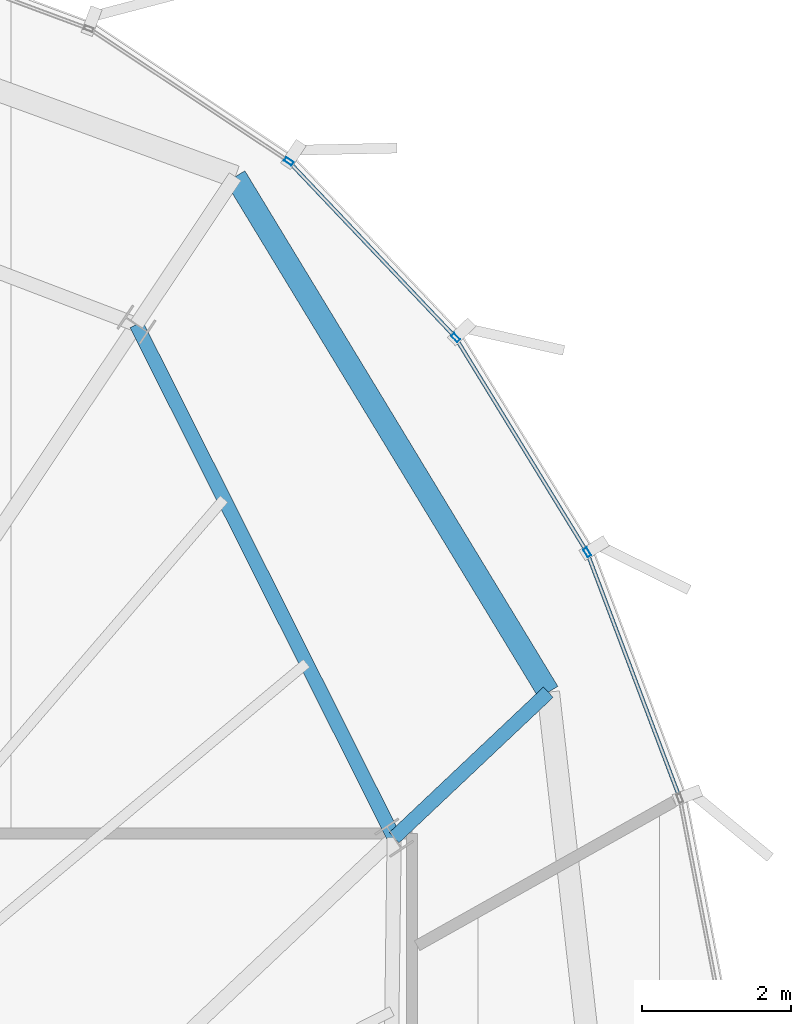
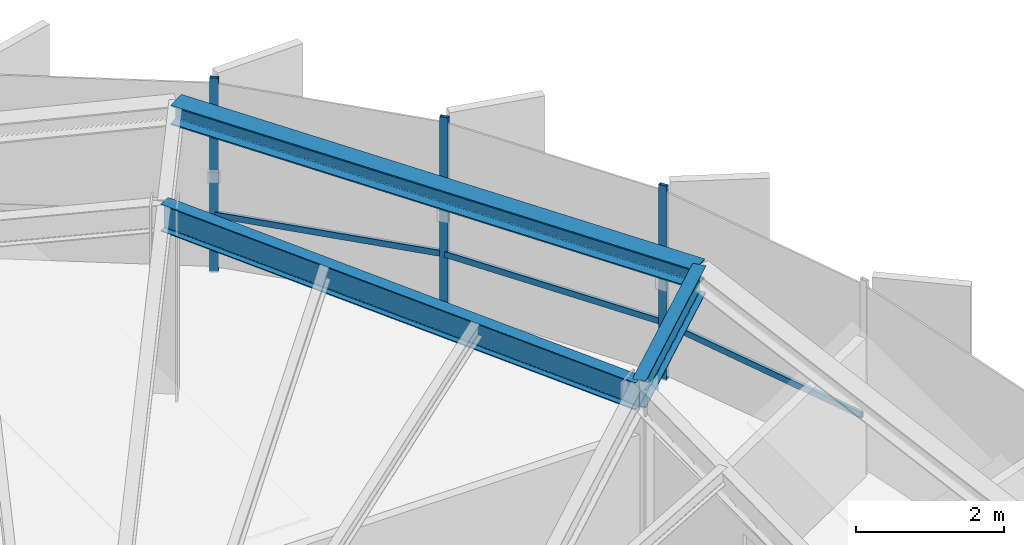
# One storey, part 23 of 31: 6 members, 3 beams, 1 element without a shape of its own.
"""IFC4 building model written with IfcOpenShell, lengths in metres."""

from ifc_helpers import new_model, si_unit, direction, frame, origin, origin_2d, place, context, subcontext, project, spatial, hollow_rectangle, i_section, extrude, source, transform, mapped, material, layer, layer_set, material_profile, profile_set, type_object, element, aggregate, save


model = new_model("IFC4")

# Units and contexts
model_context = context("Model", 3, precision=1e-05, world=origin(), true_north=direction((0.0, 1.0)))
body_context = subcontext(model_context, "Body", "Model", "MODEL_VIEW")
ifc_project = project(units=[si_unit("LENGTHUNIT", "METRE"), si_unit("AREAUNIT", "SQUARE_METRE"), si_unit("VOLUMEUNIT", "CUBIC_METRE"), si_unit("PLANEANGLEUNIT", "RADIAN"), si_unit("MASSUNIT", "GRAM", prefix="KILO"), si_unit("THERMODYNAMICTEMPERATUREUNIT", "KELVIN")], contexts=[model_context])

# Site, building, storey
site_placement = place(None, origin())
site = spatial("IfcSite", under=ifc_project, at=site_placement, CompositionType="ELEMENT")
building_placement = place(site_placement, origin())
building = spatial("IfcBuilding", under=site, at=building_placement, Name="Kethvar Cultural Tower", CompositionType="ELEMENT")
storey_placement = place(building_placement, frame((0.0, 0.0, 287.050048828125)))
storey = spatial("IfcBuildingStorey", under=building, at=storey_placement, Name="L76", CompositionType="ELEMENT", Elevation=287.050048828125)

# Beams
ifc_material_1 = material(Name="Steel S355J2", Category="steel")
ifc_material_profile_1 = material_profile(ifc_material_1, i_section(OverallWidth=0.18994140625, OverallDepth=0.449951171875, WebThickness=0.009521484375, FlangeThickness=0.0146484375, FilletRadius=0.02099609375, at=origin_2d()), Name="Steel S355J2 — IPE450")
ifc_profile_set_1 = profile_set([ifc_material_profile_1], Name="Steel S355J2 — IPE450")
beam_type_1 = type_object("IfcBeamType", Name="BM-IPE450", PredefinedType="BEAM", material=ifc_profile_set_1)
shared_shape_1 = source(origin(), body_context, "Body", "SweptSolid", [
    extrude(i_section(OverallWidth=0.18994140625, OverallDepth=0.449951171875, WebThickness=0.009521484375, FlangeThickness=0.0146484375, FilletRadius=0.02099609375, at=origin_2d()), origin(), (0.0, 0.0, 1.0), 7.68701171875),
])
beam_1_placement = place(storey_placement, frame((61.32568359375, 37.505859375, 2.98291015625), z_axis=(-0.448864354142, 0.893599905763, 0.0), x_axis=(-0.893599905763, -0.448864354142, 0.0)))
element("IfcBeam", 1, at=beam_1_placement, inside=storey, type_object=beam_type_1, Name="L76 Column Ring Tie Beam CR-02", PredefinedType="BEAM", context=body_context, shape_type="MappedRepresentation", body=[
    mapped(shared_shape_1, transform((0.0, 0.0, 0.0), scale=1.0)),
])
shared_shape_2 = source(origin(), body_context, "Body", "SweptSolid", [
    extrude(i_section(OverallWidth=0.18994140625, OverallDepth=0.449951171875, WebThickness=0.009521484375, FlangeThickness=0.0146484375, FilletRadius=0.02099609375, at=origin_2d()), origin(), (0.0, 0.0, 1.0), 2.838134765625),
])
beam_2_placement = place(storey_placement, frame((61.32568359375, 37.505859375, 2.98291015625), z_axis=(0.727158660882, 0.686469432608, 0.0), x_axis=(-0.686469432608, 0.727158660882, 0.0)))
element("IfcBeam", 2, at=beam_2_placement, inside=storey, type_object=beam_type_1, Name="L76 Perimeter Cantilever Beam RC-02", PredefinedType="BEAM", context=body_context, shape_type="MappedRepresentation", body=[
    mapped(shared_shape_2, transform((0.0, 0.0, 0.0), scale=1.0)),
])
ifc_material_profile_2 = material_profile(ifc_material_1, i_section(OverallWidth=0.300048828125, OverallDepth=0.320068359375, WebThickness=0.011474609375, FlangeThickness=0.0205078125, FilletRadius=0.027099609375, at=origin_2d()), Name="Steel S355J2 — HEB320")
ifc_profile_set_2 = profile_set([ifc_material_profile_2], Name="Steel S355J2 — HEB320")
beam_type_2 = type_object("IfcBeamType", Name="BM-SP320", PredefinedType="SPANDREL", material=ifc_profile_set_2)
shared_shape_3 = source(origin(), body_context, "Body", "SweptSolid", [
    extrude(i_section(OverallWidth=0.300048828125, OverallDepth=0.320068359375, WebThickness=0.011474609375, FlangeThickness=0.0205078125, FilletRadius=0.027099609375, at=origin_2d()), origin(), (0.0, 0.0, 1.0), 8.074462890625),
])
beam_3_placement = place(storey_placement, frame((63.389404296875, 39.4541015625, 3.0478515625), z_axis=(-0.518966299139, 0.854794700708, 0.0), x_axis=(-0.854794700708, -0.518966299139, 0.0)))
element("IfcBeam", 3, at=beam_3_placement, inside=storey, type_object=beam_type_2, Name="L76 Perimeter Spandrel Beam SP-02", PredefinedType="SPANDREL", context=body_context, shape_type="MappedRepresentation", body=[
    mapped(shared_shape_3, transform((0.0, 0.0, 0.0), scale=1.0)),
])

# Curtain wall, members
ifc_material_2 = material(Name="Aluminium 6063-T6", Category="aluminium")
ifc_layer = layer(ifc_material_2, 0.179931640625, Name="Aluminium 6063-T6", Category="aluminium")
ifc_layer_set = layer_set([ifc_layer], Name="Aluminium 6063-T6 (180 mm)")
curtain_wall_type = type_object("IfcCurtainWallType", Name="CW-SYS-05-Z56", PredefinedType="NOTDEFINED", material=ifc_layer_set)
curtain_wall_placement = place(storey_placement, origin())
curtain_wall = element("IfcCurtainWall", 4, at=curtain_wall_placement, inside=storey, type_object=curtain_wall_type, Name="L76 Curtain Wall Run 06", PredefinedType="NOTDEFINED")
ifc_material_profile_3 = material_profile(ifc_material_2, hollow_rectangle(XDim=0.054931640625, YDim=0.1201171875, WallThickness=0.00390625, at=origin_2d()), Name="Aluminium 6063-T6 — RHS120x55x4")
ifc_profile_set_3 = profile_set([ifc_material_profile_3], Name="Aluminium 6063-T6 — RHS120x55x4")
member_type_1 = type_object("IfcMemberType", Name="CW-SYS-05-Z56-MUL", PredefinedType="MULLION", material=ifc_profile_set_3)
shared_shape_4 = source(origin(), body_context, "Body", "SweptSolid", [
    extrude(hollow_rectangle(XDim=0.054931640625, YDim=0.1201171875, WallThickness=0.00390625, at=origin_2d()), origin(), (0.0, 0.0, 1.0), 3.2099609375),
])
member_1_placement = place(storey_placement, frame((63.909912109375, 41.325927734375, 0.0), z_axis=(0.0, 0.0, 1.0), x_axis=(-0.852530713811, -0.522677129793, 0.0)))
member_1 = element("IfcMember", 5, at=member_1_placement, type_object=member_type_1, Name="CW-L76-R06 Mullion 4", PredefinedType="MULLION", context=body_context, shape_type="MappedRepresentation", body=[
    mapped(shared_shape_4, transform((0.0, 0.0, 0.0), scale=1.0)),
])
member_2_placement = place(storey_placement, frame((62.149169921875, 44.201904296875, 0.0), z_axis=(0.0, 0.0, 1.0), x_axis=(-0.725602598146, -0.688113994599, 0.0)))
member_2 = element("IfcMember", 6, at=member_2_placement, type_object=member_type_1, Name="CW-L76-R06 Mullion 5", PredefinedType="MULLION", context=body_context, shape_type="MappedRepresentation", body=[
    mapped(shared_shape_4, transform((0.0, 0.0, 0.0), scale=1.0)),
])
member_3_placement = place(storey_placement, frame((59.915283203125, 46.56103515625, 0.0), z_axis=(0.0, 0.0, 1.0), x_axis=(-0.553783992672, -0.832660368614, 0.0)))
member_3 = element("IfcMember", 7, at=member_3_placement, type_object=member_type_1, Name="CW-L76-R06 Mullion 6", PredefinedType="MULLION", context=body_context, shape_type="MappedRepresentation", body=[
    mapped(shared_shape_4, transform((0.0, 0.0, 0.0), scale=1.0)),
])
ifc_material_profile_4 = material_profile(ifc_material_2, hollow_rectangle(XDim=0.050048828125, YDim=0.10009765625, WallThickness=0.00390625, at=origin_2d()), Name="Aluminium 6063-T6 — RHS100x50x4")
ifc_profile_set_4 = profile_set([ifc_material_profile_4], Name="Aluminium 6063-T6 — RHS100x50x4")
member_type_2 = type_object("IfcMemberType", Name="CW-SYS-05-Z56-TRN", PredefinedType="USERDEFINED", material=ifc_profile_set_4)
shared_shape_5 = source(origin(), body_context, "Body", "SweptSolid", [
    extrude(hollow_rectangle(XDim=0.050048828125, YDim=0.10009765625, WallThickness=0.00390625, at=origin_2d()), origin(), (0.0, 0.0, 1.0), 3.457275390625),
])
member_4_placement = place(storey_placement, frame((65.136474609375, 38.0712890625, 0.949951171875), z_axis=(-0.353142388691, 0.935569587636, 0.0), x_axis=(-0.935569587636, -0.353142388691, 0.0)))
member_4 = element("IfcMember", 8, at=member_4_placement, type_object=member_type_2, Name="CW-L76-R06 Transom 3", ObjectType="TRANSOM", PredefinedType="USERDEFINED", context=body_context, shape_type="MappedRepresentation", body=[
    mapped(shared_shape_5, transform((0.0, 0.0, 0.0), scale=1.0)),
])
shared_shape_6 = source(origin(), body_context, "Body", "SweptSolid", [
    extrude(hollow_rectangle(XDim=0.050048828125, YDim=0.10009765625, WallThickness=0.00390625, at=origin_2d()), origin(), (0.0, 0.0, 1.0), 3.313720703125),
])
member_5_placement = place(storey_placement, frame((63.88916015625, 41.359619140625, 0.949951171875), z_axis=(-0.522674354391, 0.852532415373, 0.0), x_axis=(-0.852532415373, -0.522674354391, 0.0)))
member_5 = element("IfcMember", 9, at=member_5_placement, type_object=member_type_2, Name="CW-L76-R06 Transom 4", ObjectType="TRANSOM", PredefinedType="USERDEFINED", context=body_context, shape_type="MappedRepresentation", body=[
    mapped(shared_shape_6, transform((0.0, 0.0, 0.0), scale=1.0)),
])
shared_shape_7 = source(origin(), body_context, "Body", "SweptSolid", [
    extrude(hollow_rectangle(XDim=0.050048828125, YDim=0.10009765625, WallThickness=0.00390625, at=origin_2d()), origin(), (0.0, 0.0, 1.0), 3.1923828125),
])
member_6_placement = place(storey_placement, frame((62.1220703125, 44.23046875, 0.949951171875), z_axis=(-0.688122129312, 0.725594883631, 0.0), x_axis=(-0.725594883631, -0.688122129312, 0.0)))
member_6 = element("IfcMember", 10, at=member_6_placement, type_object=member_type_2, Name="CW-L76-R06 Transom 5", ObjectType="TRANSOM", PredefinedType="USERDEFINED", context=body_context, shape_type="MappedRepresentation", body=[
    mapped(shared_shape_7, transform((0.0, 0.0, 0.0), scale=1.0)),
])
aggregate(curtain_wall, [member_1, member_2, member_3, member_4, member_5, member_6])

save(model, "model.ifc")
